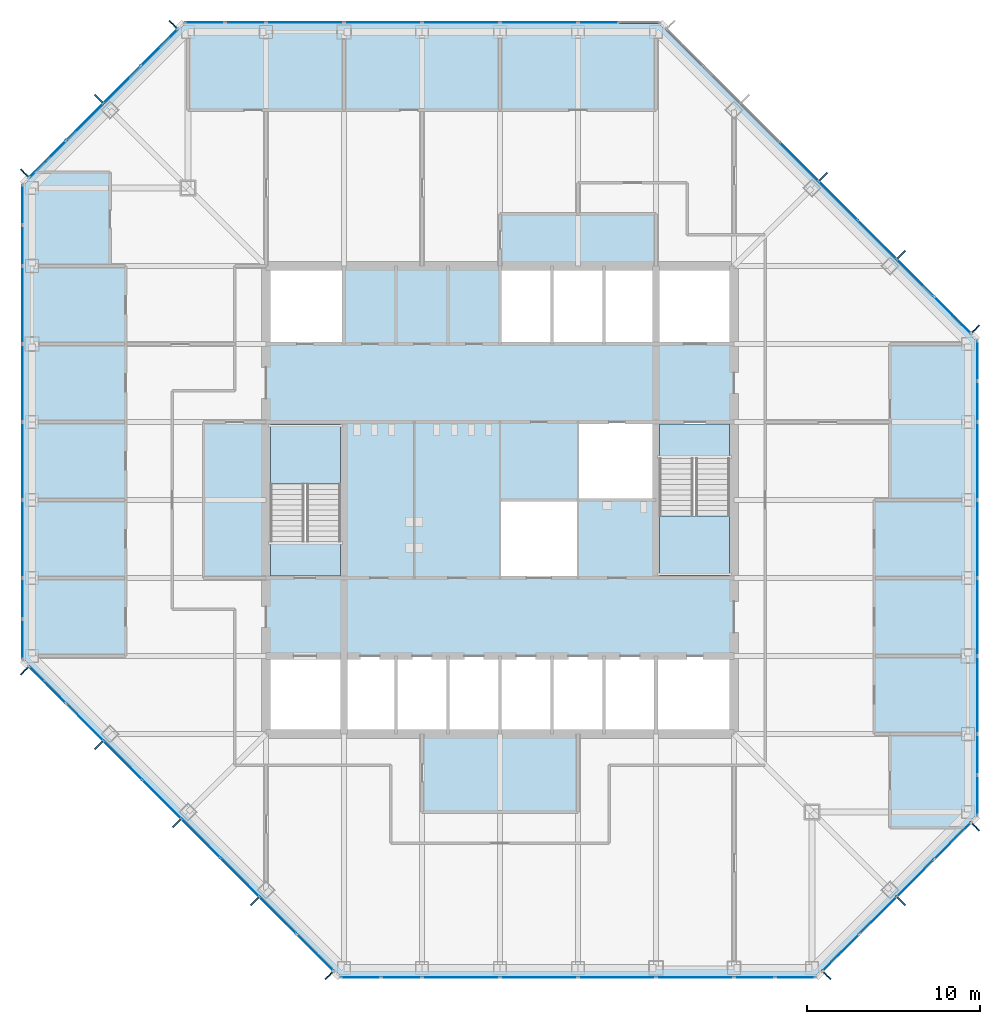
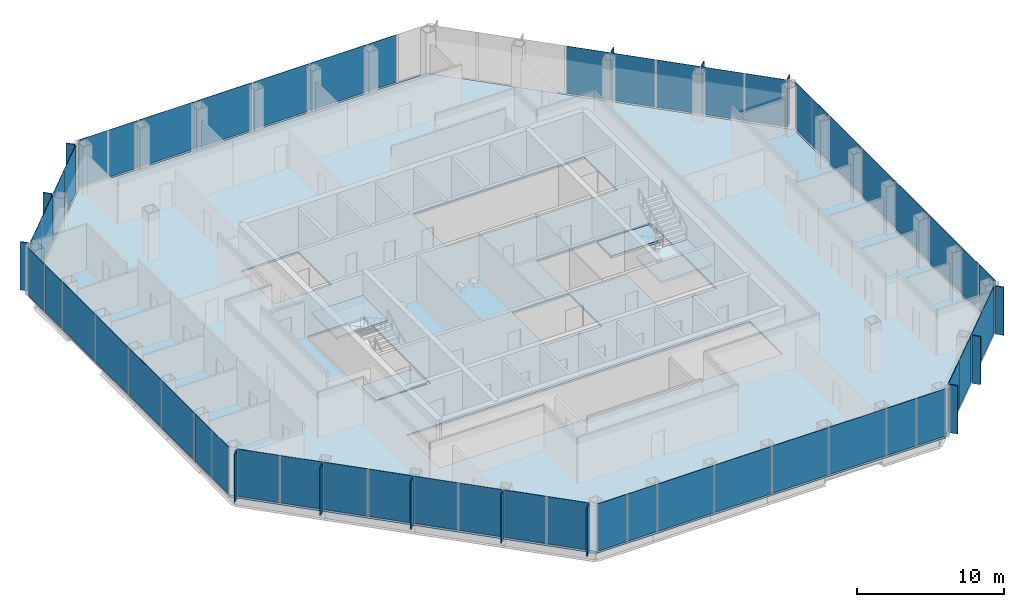
# One storey, part 7 of 13: 66 plates, 5 slabs, 10 elements without a shape of their own.
"""IFC4 building model written with IfcOpenShell, lengths in metres."""

from ifc_helpers import new_model, si_unit, direction, frame, origin, origin_2d, place, context, subcontext, project, spatial, polyline, rectangle, outline, extrude, material, layer, layer_set, type_object, element, aggregate, save


model = new_model("IFC4")

# Units and contexts
model_context = context("Model", 3, precision=1e-05, world=origin(), true_north=direction((0.0, 1.0)))
body_context = subcontext(model_context, "Body", "Model", "MODEL_VIEW")
ifc_project = project(units=[si_unit("LENGTHUNIT", "METRE"), si_unit("AREAUNIT", "SQUARE_METRE"), si_unit("VOLUMEUNIT", "CUBIC_METRE"), si_unit("PLANEANGLEUNIT", "RADIAN"), si_unit("MASSUNIT", "GRAM", prefix="KILO")], contexts=[model_context])

# Site, building, storey
site_placement = place(None, origin())
site = spatial("IfcSite", under=ifc_project, at=site_placement, CompositionType="ELEMENT")
building_placement = place(site_placement, origin())
building = spatial("IfcBuilding", under=site, at=building_placement, Name="Corais Broadcast Tower", CompositionType="ELEMENT")
storey_placement = place(building_placement, frame((0.0, 0.0, 191.60009765625)))
storey = spatial("IfcBuildingStorey", under=building, at=storey_placement, Name="L44", CompositionType="ELEMENT", Elevation=191.60009765625)

# Slab
ifc_material_1 = material(Name="Concrete C30/37", Category="concrete")
ifc_layer_1 = layer(ifc_material_1, 0.159912109375)
ifc_layer_set_1 = layer_set([ifc_layer_1], Name="Concrete C30/37")
slab_type_1 = type_object("IfcSlabType", Name="Composite floor slab 160", PredefinedType="FLOOR", material=ifc_layer_set_1)
slab_1_placement = place(storey_placement, frame((0.0, 0.0, -0.16015625)))
element("IfcSlab", 1, at=slab_1_placement, inside=storey, type_object=slab_type_1, Name="S160 floor slab L44", PredefinedType="FLOOR", context=body_context, shape_type="SweptSolid", body=[
    extrude(outline(polyline([(17.80126953125, -0.47998046875), (-0.47998046875, 17.80126953125), (-0.47998046875, 45.19873046875), (8.80126953125, 54.47998046875), (36.19873046875, 54.47998046875), (54.47998046875, 36.19873046875), (54.47998046875, 8.80126953125), (45.19873046875, -0.47998046875), (17.80126953125, -0.47998046875)]), holes=[polyline([(13.5, 18.0), (40.5, 18.0), (40.5, 13.5), (13.5, 13.5), (13.5, 18.0)]), polyline([(18.0, 22.5), (13.5, 22.5), (13.5, 31.5), (18.0, 31.5), (18.0, 22.5)]), polyline([(18.0, 36.0), (13.5, 36.0), (13.5, 40.5), (18.0, 40.5), (18.0, 36.0)]), polyline([(31.5, 22.5), (27.0, 22.5), (27.0, 27.0), (31.4951171875, 27.0), (31.4951171875, 27.0048828125), (31.5, 27.0048828125), (31.5, 31.5), (40.5, 31.5), (40.5, 22.5), (36.0, 22.5), (36.0, 27.0), (31.5048828125, 27.0), (31.5048828125, 26.9951171875), (31.5, 26.9951171875), (31.5, 22.5)]), polyline([(27.0, 40.5), (40.5, 40.5), (40.5, 36.0), (27.0, 36.0), (27.0, 40.5)])]), origin(), (0.0, 0.0, 1.0), 0.16015625),
])

# Curtain wall, plates
ifc_material_2 = material(Name="Aluminium and glass", Category="aluminium")
curtain_wall_type = type_object("IfcCurtainWallType", Name="Unitised fritted curtain wall CW2", PredefinedType="NOTDEFINED", material=ifc_material_2)
curtain_wall_1_placement = place(storey_placement, origin())
curtain_wall_1 = element("IfcCurtainWall", 2, at=curtain_wall_1_placement, inside=storey, type_object=curtain_wall_type, Name="CW2 curtain wall L44 1", PredefinedType="NOTDEFINED")
ifc_material_3 = material(Name="Ceramic-fritted laminated glass", Category="glass")
ifc_layer_2 = layer(ifc_material_3, 0.028076171875)
ifc_layer_set_2 = layer_set([ifc_layer_2], Name="Ceramic-fritted laminated glass")
plate_type_1 = type_object("IfcPlateType", Name="Fritted glass panel CW2", PredefinedType="CURTAIN_PANEL", material=ifc_layer_set_2)
plate_1_placement = place(storey_placement, frame((16.330322265625, 0.891845703125, 0.06494140625), z_axis=(0.0, 0.0, 1.0), x_axis=(-0.707106781187, 0.707106781187, 0.0)))
plate_1 = element("IfcPlate", 3, at=plate_1_placement, type_object=plate_type_1, Name="CW2 panel 1", PredefinedType="CURTAIN_PANEL", context=body_context, shape_type="SweptSolid", body=[
    extrude(rectangle(XDim=2.9482421875, YDim=0.028076171875, at=origin_2d()), origin(), (0.0, 0.0, 1.0), 3.93505859375),
])
plate_2_placement = place(storey_placement, frame((11.986083984375, 5.236083984375, 0.06494140625), z_axis=(0.0, 0.0, 1.0), x_axis=(-0.707106781187, 0.707106781187, 0.0)))
plate_2 = element("IfcPlate", 4, at=plate_2_placement, type_object=plate_type_1, Name="CW2 panel 3", PredefinedType="CURTAIN_PANEL", context=body_context, shape_type="SweptSolid", body=[
    extrude(rectangle(XDim=3.116943359375, YDim=0.028076171875, at=origin_2d()), origin(), (0.0, 0.0, 1.0), 3.93505859375),
])
plate_3_placement = place(storey_placement, frame((7.486083984375, 9.736083984375, 0.06494140625), z_axis=(0.0, 0.0, 1.0), x_axis=(-0.707106781187, 0.707106781187, 0.0)))
plate_3 = element("IfcPlate", 5, at=plate_3_placement, type_object=plate_type_1, Name="CW2 panel 5", PredefinedType="CURTAIN_PANEL", context=body_context, shape_type="SweptSolid", body=[
    extrude(rectangle(XDim=3.116943359375, YDim=0.028076171875, at=origin_2d()), origin(), (0.0, 0.0, 1.0), 3.93505859375),
])
plate_4_placement = place(storey_placement, frame((3.0341796875, 14.18798828125, 0.06494140625), z_axis=(0.0, 0.0, 1.0), x_axis=(-0.707106781187, 0.707106781187, 0.0)))
plate_4 = element("IfcPlate", 6, at=plate_4_placement, type_object=plate_type_1, Name="CW2 panel 7", PredefinedType="CURTAIN_PANEL", context=body_context, shape_type="SweptSolid", body=[
    extrude(rectangle(XDim=2.98095703125, YDim=0.028076171875, at=origin_2d()), origin(), (0.0, 0.0, 1.0), 3.93505859375),
])

curtain_wall_2_placement = place(storey_placement, origin())
curtain_wall_2 = element("IfcCurtainWall", 7, at=curtain_wall_2_placement, inside=storey, type_object=curtain_wall_type, Name="CW2 curtain wall L44 2", PredefinedType="NOTDEFINED")
plate_5_placement = place(storey_placement, frame((-0.550048828125, 18.970458984375, 0.06494140625), z_axis=(0.0, 0.0, 1.0), x_axis=(0.0, 1.0, 0.0)))
plate_5 = element("IfcPlate", 8, at=plate_5_placement, type_object=plate_type_1, Name="CW2 panel 1", PredefinedType="CURTAIN_PANEL", context=body_context, shape_type="SweptSolid", body=[
    extrude(rectangle(XDim=2.266357421875, YDim=0.028076171875, at=origin_2d()), origin(), (0.0, 0.0, 1.0), 3.93505859375),
])
plate_6_placement = place(storey_placement, frame((-0.550048828125, 24.75, 0.06494140625), z_axis=(0.0, 0.0, 1.0), x_axis=(0.0, 1.0, 0.0)))
plate_6 = element("IfcPlate", 9, at=plate_6_placement, type_object=plate_type_1, Name="CW2 panel 3", PredefinedType="CURTAIN_PANEL", context=body_context, shape_type="SweptSolid", body=[
    extrude(rectangle(XDim=4.43505859375, YDim=0.028076171875, at=origin_2d()), origin(), (0.0, 0.0, 1.0), 3.93505859375),
])
plate_7_placement = place(storey_placement, frame((-0.550048828125, 33.75, 0.06494140625), z_axis=(0.0, 0.0, 1.0), x_axis=(0.0, 1.0, 0.0)))
plate_7 = element("IfcPlate", 10, at=plate_7_placement, type_object=plate_type_1, Name="CW2 panel 5", PredefinedType="CURTAIN_PANEL", context=body_context, shape_type="SweptSolid", body=[
    extrude(rectangle(XDim=4.43505859375, YDim=0.028076171875, at=origin_2d()), origin(), (0.0, 0.0, 1.0), 3.93505859375),
])
plate_8_placement = place(storey_placement, frame((-0.550048828125, 41.681884765625, 0.06494140625), z_axis=(0.0, 0.0, 1.0), x_axis=(0.0, 1.0, 0.0)))
plate_8 = element("IfcPlate", 11, at=plate_8_placement, type_object=plate_type_1, Name="CW2 panel 7", PredefinedType="CURTAIN_PANEL", context=body_context, shape_type="SweptSolid", body=[
    extrude(rectangle(XDim=2.298828125, YDim=0.028076171875, at=origin_2d()), origin(), (0.0, 0.0, 1.0), 3.93505859375),
])

curtain_wall_3_placement = place(storey_placement, origin())
curtain_wall_3 = element("IfcCurtainWall", 12, at=curtain_wall_3_placement, inside=storey, type_object=curtain_wall_type, Name="CW2 curtain wall L44 3", PredefinedType="NOTDEFINED")
plate_9_placement = place(storey_placement, frame((0.891845703125, 46.669677734375, 0.06494140625), z_axis=(0.0, 0.0, 1.0), x_axis=(0.707106781187, 0.707106781187, 0.0)))
plate_9 = element("IfcPlate", 13, at=plate_9_placement, type_object=plate_type_1, Name="CW2 panel 1", PredefinedType="CURTAIN_PANEL", context=body_context, shape_type="SweptSolid", body=[
    extrude(rectangle(XDim=2.9482421875, YDim=0.028076171875, at=origin_2d()), origin(), (0.0, 0.0, 1.0), 3.93505859375),
])
plate_10_placement = place(storey_placement, frame((5.18798828125, 50.9658203125, 0.06494140625), z_axis=(0.0, 0.0, 1.0), x_axis=(0.707106781187, 0.707106781187, 0.0)))
plate_10 = element("IfcPlate", 14, at=plate_10_placement, type_object=plate_type_1, Name="CW2 panel 3", PredefinedType="CURTAIN_PANEL", context=body_context, shape_type="SweptSolid", body=[
    extrude(rectangle(XDim=2.98095703125, YDim=0.028076171875, at=origin_2d()), origin(), (0.0, 0.0, 1.0), 3.93505859375),
])

curtain_wall_4_placement = place(storey_placement, origin())
curtain_wall_4 = element("IfcCurtainWall", 15, at=curtain_wall_4_placement, inside=storey, type_object=curtain_wall_type, Name="CW2 curtain wall L44 4", PredefinedType="NOTDEFINED")
plate_11_placement = place(storey_placement, frame((9.970458984375, 54.550048828125, 0.06494140625), z_axis=(0.0, 0.0, 1.0), x_axis=(1.0, 0.0, 0.0)))
plate_11 = element("IfcPlate", 16, at=plate_11_placement, type_object=plate_type_1, Name="CW2 panel 1", PredefinedType="CURTAIN_PANEL", context=body_context, shape_type="SweptSolid", body=[
    extrude(rectangle(XDim=2.266357421875, YDim=0.028076171875, at=origin_2d()), origin(), (0.0, 0.0, 1.0), 3.93505859375),
])
plate_12_placement = place(storey_placement, frame((15.75, 54.550048828125, 0.06494140625), z_axis=(0.0, 0.0, 1.0), x_axis=(1.0, 0.0, 0.0)))
plate_12 = element("IfcPlate", 17, at=plate_12_placement, type_object=plate_type_1, Name="CW2 panel 3", PredefinedType="CURTAIN_PANEL", context=body_context, shape_type="SweptSolid", body=[
    extrude(rectangle(XDim=4.43505859375, YDim=0.028076171875, at=origin_2d()), origin(), (0.0, 0.0, 1.0), 3.93505859375),
])
plate_13_placement = place(storey_placement, frame((24.75, 54.550048828125, 0.06494140625), z_axis=(0.0, 0.0, 1.0), x_axis=(1.0, 0.0, 0.0)))
plate_13 = element("IfcPlate", 18, at=plate_13_placement, type_object=plate_type_1, Name="CW2 panel 5", PredefinedType="CURTAIN_PANEL", context=body_context, shape_type="SweptSolid", body=[
    extrude(rectangle(XDim=4.43505859375, YDim=0.028076171875, at=origin_2d()), origin(), (0.0, 0.0, 1.0), 3.93505859375),
])
plate_14_placement = place(storey_placement, frame((32.681884765625, 54.550048828125, 0.06494140625), z_axis=(0.0, 0.0, 1.0), x_axis=(1.0, 0.0, 0.0)))
plate_14 = element("IfcPlate", 19, at=plate_14_placement, type_object=plate_type_1, Name="CW2 panel 7", PredefinedType="CURTAIN_PANEL", context=body_context, shape_type="SweptSolid", body=[
    extrude(rectangle(XDim=2.298828125, YDim=0.028076171875, at=origin_2d()), origin(), (0.0, 0.0, 1.0), 3.93505859375),
])

curtain_wall_5_placement = place(storey_placement, origin())
curtain_wall_5 = element("IfcCurtainWall", 20, at=curtain_wall_5_placement, inside=storey, type_object=curtain_wall_type, Name="CW2 curtain wall L44 5", PredefinedType="NOTDEFINED")
plate_15_placement = place(storey_placement, frame((46.513916015625, 44.263916015625, 0.06494140625), z_axis=(0.0, 0.0, 1.0), x_axis=(0.707106781187, -0.707106781187, 0.0)))
plate_15 = element("IfcPlate", 21, at=plate_15_placement, type_object=plate_type_1, Name="CW2 panel 5", PredefinedType="CURTAIN_PANEL", context=body_context, shape_type="SweptSolid", body=[
    extrude(rectangle(XDim=3.116943359375, YDim=0.028076171875, at=origin_2d()), origin(), (0.0, 0.0, 1.0), 3.93505859375),
])
plate_16_placement = place(storey_placement, frame((50.9658203125, 39.81201171875, 0.06494140625), z_axis=(0.0, 0.0, 1.0), x_axis=(0.707106781187, -0.707106781187, 0.0)))
plate_16 = element("IfcPlate", 22, at=plate_16_placement, type_object=plate_type_1, Name="CW2 panel 7", PredefinedType="CURTAIN_PANEL", context=body_context, shape_type="SweptSolid", body=[
    extrude(rectangle(XDim=2.98095703125, YDim=0.028076171875, at=origin_2d()), origin(), (0.0, 0.0, 1.0), 3.93505859375),
])

curtain_wall_6_placement = place(storey_placement, origin())
curtain_wall_6 = element("IfcCurtainWall", 23, at=curtain_wall_6_placement, inside=storey, type_object=curtain_wall_type, Name="CW2 curtain wall L44 6", PredefinedType="NOTDEFINED")
plate_17_placement = place(storey_placement, frame((54.550048828125, 35.029541015625, 0.06494140625), z_axis=(0.0, 0.0, 1.0), x_axis=(0.0, -1.0, 0.0)))
plate_17 = element("IfcPlate", 24, at=plate_17_placement, type_object=plate_type_1, Name="CW2 panel 1", PredefinedType="CURTAIN_PANEL", context=body_context, shape_type="SweptSolid", body=[
    extrude(rectangle(XDim=2.266357421875, YDim=0.028076171875, at=origin_2d()), origin(), (0.0, 0.0, 1.0), 3.93505859375),
])
plate_18_placement = place(storey_placement, frame((54.550048828125, 29.25, 0.06494140625), z_axis=(0.0, 0.0, 1.0), x_axis=(0.0, -1.0, 0.0)))
plate_18 = element("IfcPlate", 25, at=plate_18_placement, type_object=plate_type_1, Name="CW2 panel 3", PredefinedType="CURTAIN_PANEL", context=body_context, shape_type="SweptSolid", body=[
    extrude(rectangle(XDim=4.43505859375, YDim=0.028076171875, at=origin_2d()), origin(), (0.0, 0.0, 1.0), 3.93505859375),
])
plate_19_placement = place(storey_placement, frame((54.550048828125, 20.25, 0.06494140625), z_axis=(0.0, 0.0, 1.0), x_axis=(0.0, -1.0, 0.0)))
plate_19 = element("IfcPlate", 26, at=plate_19_placement, type_object=plate_type_1, Name="CW2 panel 5", PredefinedType="CURTAIN_PANEL", context=body_context, shape_type="SweptSolid", body=[
    extrude(rectangle(XDim=4.43505859375, YDim=0.028076171875, at=origin_2d()), origin(), (0.0, 0.0, 1.0), 3.93505859375),
])
plate_20_placement = place(storey_placement, frame((54.550048828125, 12.318115234375, 0.06494140625), z_axis=(0.0, 0.0, 1.0), x_axis=(0.0, -1.0, 0.0)))
plate_20 = element("IfcPlate", 27, at=plate_20_placement, type_object=plate_type_1, Name="CW2 panel 7", PredefinedType="CURTAIN_PANEL", context=body_context, shape_type="SweptSolid", body=[
    extrude(rectangle(XDim=2.298828125, YDim=0.028076171875, at=origin_2d()), origin(), (0.0, 0.0, 1.0), 3.93505859375),
])

curtain_wall_7_placement = place(storey_placement, origin())
curtain_wall_7 = element("IfcCurtainWall", 28, at=curtain_wall_7_placement, inside=storey, type_object=curtain_wall_type, Name="CW2 curtain wall L44 7", PredefinedType="NOTDEFINED")
plate_21_placement = place(storey_placement, frame((53.108154296875, 7.330322265625, 0.06494140625), z_axis=(0.0, 0.0, 1.0), x_axis=(-0.707106781187, -0.707106781187, 0.0)))
plate_21 = element("IfcPlate", 29, at=plate_21_placement, type_object=plate_type_1, Name="CW2 panel 1", PredefinedType="CURTAIN_PANEL", context=body_context, shape_type="SweptSolid", body=[
    extrude(rectangle(XDim=2.9482421875, YDim=0.028076171875, at=origin_2d()), origin(), (0.0, 0.0, 1.0), 3.93505859375),
])
plate_22_placement = place(storey_placement, frame((48.81201171875, 3.0341796875, 0.06494140625), z_axis=(0.0, 0.0, 1.0), x_axis=(-0.707106781187, -0.707106781187, 0.0)))
plate_22 = element("IfcPlate", 30, at=plate_22_placement, type_object=plate_type_1, Name="CW2 panel 3", PredefinedType="CURTAIN_PANEL", context=body_context, shape_type="SweptSolid", body=[
    extrude(rectangle(XDim=2.98095703125, YDim=0.028076171875, at=origin_2d()), origin(), (0.0, 0.0, 1.0), 3.93505859375),
])

curtain_wall_8_placement = place(storey_placement, origin())
curtain_wall_8 = element("IfcCurtainWall", 31, at=curtain_wall_8_placement, inside=storey, type_object=curtain_wall_type, Name="CW2 curtain wall L44 8", PredefinedType="NOTDEFINED")
plate_23_placement = place(storey_placement, frame((44.029541015625, -0.550048828125, 0.06494140625), z_axis=(0.0, 0.0, 1.0), x_axis=(-1.0, 0.0, 0.0)))
plate_23 = element("IfcPlate", 32, at=plate_23_placement, type_object=plate_type_1, Name="CW2 panel 1", PredefinedType="CURTAIN_PANEL", context=body_context, shape_type="SweptSolid", body=[
    extrude(rectangle(XDim=2.266357421875, YDim=0.028076171875, at=origin_2d()), origin(), (0.0, 0.0, 1.0), 3.93505859375),
])
plate_24_placement = place(storey_placement, frame((38.25, -0.550048828125, 0.06494140625), z_axis=(0.0, 0.0, 1.0), x_axis=(-1.0, 0.0, 0.0)))
plate_24 = element("IfcPlate", 33, at=plate_24_placement, type_object=plate_type_1, Name="CW2 panel 3", PredefinedType="CURTAIN_PANEL", context=body_context, shape_type="SweptSolid", body=[
    extrude(rectangle(XDim=4.43505859375, YDim=0.028076171875, at=origin_2d()), origin(), (0.0, 0.0, 1.0), 3.93505859375),
])
plate_25_placement = place(storey_placement, frame((29.25, -0.550048828125, 0.06494140625), z_axis=(0.0, 0.0, 1.0), x_axis=(-1.0, 0.0, 0.0)))
plate_25 = element("IfcPlate", 34, at=plate_25_placement, type_object=plate_type_1, Name="CW2 panel 5", PredefinedType="CURTAIN_PANEL", context=body_context, shape_type="SweptSolid", body=[
    extrude(rectangle(XDim=4.43505859375, YDim=0.028076171875, at=origin_2d()), origin(), (0.0, 0.0, 1.0), 3.93505859375),
])
plate_26_placement = place(storey_placement, frame((21.318115234375, -0.550048828125, 0.06494140625), z_axis=(0.0, 0.0, 1.0), x_axis=(-1.0, 0.0, 0.0)))
plate_26 = element("IfcPlate", 35, at=plate_26_placement, type_object=plate_type_1, Name="CW2 panel 7", PredefinedType="CURTAIN_PANEL", context=body_context, shape_type="SweptSolid", body=[
    extrude(rectangle(XDim=2.298828125, YDim=0.028076171875, at=origin_2d()), origin(), (0.0, 0.0, 1.0), 3.93505859375),
])

# Plate
ifc_material_4 = material(Name="Clear laminated glass", Category="glass")
ifc_layer_3 = layer(ifc_material_4, 0.031982421875)
ifc_layer_set_3 = layer_set([ifc_layer_3], Name="Clear laminated glass")
plate_type_2 = type_object("IfcPlateType", Name="Operable glass panel CW2", PredefinedType="CURTAIN_PANEL", material=ifc_layer_set_3)
plate_27_placement = place(storey_placement, frame((14.18798828125, 3.0341796875, 0.06494140625), z_axis=(0.0, 0.0, 1.0), x_axis=(-0.707106781187, 0.707106781187, 0.0)))
plate_27 = element("IfcPlate", 36, at=plate_27_placement, type_object=plate_type_2, Name="CW2 operable panel 2", PredefinedType="CURTAIN_PANEL", context=body_context, shape_type="SweptSolid", body=[
    extrude(rectangle(XDim=2.98095703125, YDim=0.031982421875, at=origin_2d()), origin(), (0.0, 0.0, 1.0), 3.93505859375),
])

plate_28_placement = place(storey_placement, frame((9.736083984375, 7.486083984375, 0.06494140625), z_axis=(0.0, 0.0, 1.0), x_axis=(-0.707106781187, 0.707106781187, 0.0)))
plate_28 = element("IfcPlate", 37, at=plate_28_placement, type_object=plate_type_2, Name="CW2 operable panel 4", PredefinedType="CURTAIN_PANEL", context=body_context, shape_type="SweptSolid", body=[
    extrude(rectangle(XDim=3.116943359375, YDim=0.031982421875, at=origin_2d()), origin(), (0.0, 0.0, 1.0), 3.93505859375),
])

plate_29_placement = place(storey_placement, frame((5.236083984375, 11.986083984375, 0.06494140625), z_axis=(0.0, 0.0, 1.0), x_axis=(-0.707106781187, 0.707106781187, 0.0)))
plate_29 = element("IfcPlate", 38, at=plate_29_placement, type_object=plate_type_2, Name="CW2 operable panel 6", PredefinedType="CURTAIN_PANEL", context=body_context, shape_type="SweptSolid", body=[
    extrude(rectangle(XDim=3.116943359375, YDim=0.031982421875, at=origin_2d()), origin(), (0.0, 0.0, 1.0), 3.93505859375),
])

plate_30_placement = place(storey_placement, frame((0.89208984375, 16.330322265625, 0.06494140625), z_axis=(0.0, 0.0, 1.0), x_axis=(-0.707106781187, 0.707106781187, 0.0)))
plate_30 = element("IfcPlate", 39, at=plate_30_placement, type_object=plate_type_2, Name="CW2 operable panel 8", PredefinedType="CURTAIN_PANEL", context=body_context, shape_type="SweptSolid", body=[
    extrude(rectangle(XDim=2.948486328125, YDim=0.031982421875, at=origin_2d()), origin(), (0.0, 0.0, 1.0), 3.93505859375),
])

aggregate(curtain_wall_1, [plate_1, plate_27, plate_2, plate_28, plate_3, plate_29, plate_4, plate_30])

plate_31_placement = place(storey_placement, frame((-0.550048828125, 21.318115234375, 0.06494140625), z_axis=(0.0, 0.0, 1.0), x_axis=(0.0, 1.0, 0.0)))
plate_31 = element("IfcPlate", 40, at=plate_31_placement, type_object=plate_type_2, Name="CW2 operable panel 2", PredefinedType="CURTAIN_PANEL", context=body_context, shape_type="SweptSolid", body=[
    extrude(rectangle(XDim=2.298828125, YDim=0.031982421875, at=origin_2d()), origin(), (0.0, 0.0, 1.0), 3.93505859375),
])

plate_32_placement = place(storey_placement, frame((-0.550048828125, 29.25, 0.06494140625), z_axis=(0.0, 0.0, 1.0), x_axis=(0.0, 1.0, 0.0)))
plate_32 = element("IfcPlate", 41, at=plate_32_placement, type_object=plate_type_2, Name="CW2 operable panel 4", PredefinedType="CURTAIN_PANEL", context=body_context, shape_type="SweptSolid", body=[
    extrude(rectangle(XDim=4.43505859375, YDim=0.031982421875, at=origin_2d()), origin(), (0.0, 0.0, 1.0), 3.93505859375),
])

plate_33_placement = place(storey_placement, frame((-0.550048828125, 38.25, 0.06494140625), z_axis=(0.0, 0.0, 1.0), x_axis=(0.0, 1.0, 0.0)))
plate_33 = element("IfcPlate", 42, at=plate_33_placement, type_object=plate_type_2, Name="CW2 operable panel 6", PredefinedType="CURTAIN_PANEL", context=body_context, shape_type="SweptSolid", body=[
    extrude(rectangle(XDim=4.43505859375, YDim=0.031982421875, at=origin_2d()), origin(), (0.0, 0.0, 1.0), 3.93505859375),
])

plate_34_placement = place(storey_placement, frame((-0.550048828125, 44.029541015625, 0.06494140625), z_axis=(0.0, 0.0, 1.0), x_axis=(0.0, 1.0, 0.0)))
plate_34 = element("IfcPlate", 43, at=plate_34_placement, type_object=plate_type_2, Name="CW2 operable panel 8", PredefinedType="CURTAIN_PANEL", context=body_context, shape_type="SweptSolid", body=[
    extrude(rectangle(XDim=2.266357421875, YDim=0.031982421875, at=origin_2d()), origin(), (0.0, 0.0, 1.0), 3.93505859375),
])

aggregate(curtain_wall_2, [plate_5, plate_31, plate_6, plate_32, plate_7, plate_33, plate_8, plate_34])

plate_35_placement = place(storey_placement, frame((3.0341796875, 48.81201171875, 0.06494140625), z_axis=(0.0, 0.0, 1.0), x_axis=(0.707106781187, 0.707106781187, 0.0)))
plate_35 = element("IfcPlate", 44, at=plate_35_placement, type_object=plate_type_2, Name="CW2 operable panel 2", PredefinedType="CURTAIN_PANEL", context=body_context, shape_type="SweptSolid", body=[
    extrude(rectangle(XDim=2.98095703125, YDim=0.031982421875, at=origin_2d()), origin(), (0.0, 0.0, 1.0), 3.93505859375),
])

plate_36_placement = place(storey_placement, frame((7.330322265625, 53.10791015625, 0.06494140625), z_axis=(0.0, 0.0, 1.0), x_axis=(0.707106781187, 0.707106781187, 0.0)))
plate_36 = element("IfcPlate", 45, at=plate_36_placement, type_object=plate_type_2, Name="CW2 operable panel 4", PredefinedType="CURTAIN_PANEL", context=body_context, shape_type="SweptSolid", body=[
    extrude(rectangle(XDim=2.948486328125, YDim=0.031982421875, at=origin_2d()), origin(), (0.0, 0.0, 1.0), 3.93505859375),
])

aggregate(curtain_wall_3, [plate_9, plate_35, plate_10, plate_36])

plate_37_placement = place(storey_placement, frame((12.318115234375, 54.550048828125, 0.06494140625), z_axis=(0.0, 0.0, 1.0), x_axis=(1.0, 0.0, 0.0)))
plate_37 = element("IfcPlate", 46, at=plate_37_placement, type_object=plate_type_2, Name="CW2 operable panel 2", PredefinedType="CURTAIN_PANEL", context=body_context, shape_type="SweptSolid", body=[
    extrude(rectangle(XDim=2.298828125, YDim=0.031982421875, at=origin_2d()), origin(), (0.0, 0.0, 1.0), 3.93505859375),
])

plate_38_placement = place(storey_placement, frame((20.25, 54.550048828125, 0.06494140625), z_axis=(0.0, 0.0, 1.0), x_axis=(1.0, 0.0, 0.0)))
plate_38 = element("IfcPlate", 47, at=plate_38_placement, type_object=plate_type_2, Name="CW2 operable panel 4", PredefinedType="CURTAIN_PANEL", context=body_context, shape_type="SweptSolid", body=[
    extrude(rectangle(XDim=4.43505859375, YDim=0.031982421875, at=origin_2d()), origin(), (0.0, 0.0, 1.0), 3.93505859375),
])

plate_39_placement = place(storey_placement, frame((29.25, 54.550048828125, 0.06494140625), z_axis=(0.0, 0.0, 1.0), x_axis=(1.0, 0.0, 0.0)))
plate_39 = element("IfcPlate", 48, at=plate_39_placement, type_object=plate_type_2, Name="CW2 operable panel 6", PredefinedType="CURTAIN_PANEL", context=body_context, shape_type="SweptSolid", body=[
    extrude(rectangle(XDim=4.43505859375, YDim=0.031982421875, at=origin_2d()), origin(), (0.0, 0.0, 1.0), 3.93505859375),
])

aggregate(curtain_wall_4, [plate_11, plate_37, plate_12, plate_38, plate_13, plate_39, plate_14])

plate_40_placement = place(storey_placement, frame((44.263916015625, 46.513916015625, 0.06494140625), z_axis=(0.0, 0.0, 1.0), x_axis=(0.707106781187, -0.707106781187, 0.0)))
plate_40 = element("IfcPlate", 49, at=plate_40_placement, type_object=plate_type_2, Name="CW2 operable panel 4", PredefinedType="CURTAIN_PANEL", context=body_context, shape_type="SweptSolid", body=[
    extrude(rectangle(XDim=3.116943359375, YDim=0.031982421875, at=origin_2d()), origin(), (0.0, 0.0, 1.0), 3.93505859375),
])

plate_41_placement = place(storey_placement, frame((48.763916015625, 42.013916015625, 0.06494140625), z_axis=(0.0, 0.0, 1.0), x_axis=(0.707106781187, -0.707106781187, 0.0)))
plate_41 = element("IfcPlate", 50, at=plate_41_placement, type_object=plate_type_2, Name="CW2 operable panel 6", PredefinedType="CURTAIN_PANEL", context=body_context, shape_type="SweptSolid", body=[
    extrude(rectangle(XDim=3.116943359375, YDim=0.031982421875, at=origin_2d()), origin(), (0.0, 0.0, 1.0), 3.93505859375),
])

plate_42_placement = place(storey_placement, frame((53.10791015625, 37.669677734375, 0.06494140625), z_axis=(0.0, 0.0, 1.0), x_axis=(0.707106781187, -0.707106781187, 0.0)))
plate_42 = element("IfcPlate", 51, at=plate_42_placement, type_object=plate_type_2, Name="CW2 operable panel 8", PredefinedType="CURTAIN_PANEL", context=body_context, shape_type="SweptSolid", body=[
    extrude(rectangle(XDim=2.948486328125, YDim=0.031982421875, at=origin_2d()), origin(), (0.0, 0.0, 1.0), 3.93505859375),
])

aggregate(curtain_wall_5, [plate_40, plate_15, plate_41, plate_16, plate_42])

plate_43_placement = place(storey_placement, frame((54.550048828125, 32.681884765625, 0.06494140625), z_axis=(0.0, 0.0, 1.0), x_axis=(0.0, -1.0, 0.0)))
plate_43 = element("IfcPlate", 52, at=plate_43_placement, type_object=plate_type_2, Name="CW2 operable panel 2", PredefinedType="CURTAIN_PANEL", context=body_context, shape_type="SweptSolid", body=[
    extrude(rectangle(XDim=2.298828125, YDim=0.031982421875, at=origin_2d()), origin(), (0.0, 0.0, 1.0), 3.93505859375),
])

plate_44_placement = place(storey_placement, frame((54.550048828125, 24.75, 0.06494140625), z_axis=(0.0, 0.0, 1.0), x_axis=(0.0, -1.0, 0.0)))
plate_44 = element("IfcPlate", 53, at=plate_44_placement, type_object=plate_type_2, Name="CW2 operable panel 4", PredefinedType="CURTAIN_PANEL", context=body_context, shape_type="SweptSolid", body=[
    extrude(rectangle(XDim=4.43505859375, YDim=0.031982421875, at=origin_2d()), origin(), (0.0, 0.0, 1.0), 3.93505859375),
])

plate_45_placement = place(storey_placement, frame((54.550048828125, 15.75, 0.06494140625), z_axis=(0.0, 0.0, 1.0), x_axis=(0.0, -1.0, 0.0)))
plate_45 = element("IfcPlate", 54, at=plate_45_placement, type_object=plate_type_2, Name="CW2 operable panel 6", PredefinedType="CURTAIN_PANEL", context=body_context, shape_type="SweptSolid", body=[
    extrude(rectangle(XDim=4.43505859375, YDim=0.031982421875, at=origin_2d()), origin(), (0.0, 0.0, 1.0), 3.93505859375),
])

plate_46_placement = place(storey_placement, frame((54.550048828125, 9.970458984375, 0.06494140625), z_axis=(0.0, 0.0, 1.0), x_axis=(0.0, -1.0, 0.0)))
plate_46 = element("IfcPlate", 55, at=plate_46_placement, type_object=plate_type_2, Name="CW2 operable panel 8", PredefinedType="CURTAIN_PANEL", context=body_context, shape_type="SweptSolid", body=[
    extrude(rectangle(XDim=2.266357421875, YDim=0.031982421875, at=origin_2d()), origin(), (0.0, 0.0, 1.0), 3.93505859375),
])

aggregate(curtain_wall_6, [plate_17, plate_43, plate_18, plate_44, plate_19, plate_45, plate_20, plate_46])

plate_47_placement = place(storey_placement, frame((50.9658203125, 5.18798828125, 0.06494140625), z_axis=(0.0, 0.0, 1.0), x_axis=(-0.707106781187, -0.707106781187, 0.0)))
plate_47 = element("IfcPlate", 56, at=plate_47_placement, type_object=plate_type_2, Name="CW2 operable panel 2", PredefinedType="CURTAIN_PANEL", context=body_context, shape_type="SweptSolid", body=[
    extrude(rectangle(XDim=2.98095703125, YDim=0.031982421875, at=origin_2d()), origin(), (0.0, 0.0, 1.0), 3.93505859375),
])

plate_48_placement = place(storey_placement, frame((46.669677734375, 0.89208984375, 0.06494140625), z_axis=(0.0, 0.0, 1.0), x_axis=(-0.707106781187, -0.707106781187, 0.0)))
plate_48 = element("IfcPlate", 57, at=plate_48_placement, type_object=plate_type_2, Name="CW2 operable panel 4", PredefinedType="CURTAIN_PANEL", context=body_context, shape_type="SweptSolid", body=[
    extrude(rectangle(XDim=2.948486328125, YDim=0.031982421875, at=origin_2d()), origin(), (0.0, 0.0, 1.0), 3.93505859375),
])

aggregate(curtain_wall_7, [plate_21, plate_47, plate_22, plate_48])

plate_49_placement = place(storey_placement, frame((41.681884765625, -0.550048828125, 0.06494140625), z_axis=(0.0, 0.0, 1.0), x_axis=(-1.0, 0.0, 0.0)))
plate_49 = element("IfcPlate", 58, at=plate_49_placement, type_object=plate_type_2, Name="CW2 operable panel 2", PredefinedType="CURTAIN_PANEL", context=body_context, shape_type="SweptSolid", body=[
    extrude(rectangle(XDim=2.298828125, YDim=0.031982421875, at=origin_2d()), origin(), (0.0, 0.0, 1.0), 3.93505859375),
])

plate_50_placement = place(storey_placement, frame((33.75, -0.550048828125, 0.06494140625), z_axis=(0.0, 0.0, 1.0), x_axis=(-1.0, 0.0, 0.0)))
plate_50 = element("IfcPlate", 59, at=plate_50_placement, type_object=plate_type_2, Name="CW2 operable panel 4", PredefinedType="CURTAIN_PANEL", context=body_context, shape_type="SweptSolid", body=[
    extrude(rectangle(XDim=4.43505859375, YDim=0.031982421875, at=origin_2d()), origin(), (0.0, 0.0, 1.0), 3.93505859375),
])

plate_51_placement = place(storey_placement, frame((24.75, -0.550048828125, 0.06494140625), z_axis=(0.0, 0.0, 1.0), x_axis=(-1.0, 0.0, 0.0)))
plate_51 = element("IfcPlate", 60, at=plate_51_placement, type_object=plate_type_2, Name="CW2 operable panel 6", PredefinedType="CURTAIN_PANEL", context=body_context, shape_type="SweptSolid", body=[
    extrude(rectangle(XDim=4.43505859375, YDim=0.031982421875, at=origin_2d()), origin(), (0.0, 0.0, 1.0), 3.93505859375),
])

plate_52_placement = place(storey_placement, frame((18.970458984375, -0.550048828125, 0.06494140625), z_axis=(0.0, 0.0, 1.0), x_axis=(-1.0, 0.0, 0.0)))
plate_52 = element("IfcPlate", 61, at=plate_52_placement, type_object=plate_type_2, Name="CW2 operable panel 8", PredefinedType="CURTAIN_PANEL", context=body_context, shape_type="SweptSolid", body=[
    extrude(rectangle(XDim=2.266357421875, YDim=0.031982421875, at=origin_2d()), origin(), (0.0, 0.0, 1.0), 3.93505859375),
])

aggregate(curtain_wall_8, [plate_23, plate_49, plate_24, plate_50, plate_25, plate_51, plate_26, plate_52])

# Stair, slabs
ifc_material_5 = material(Name="Concrete C30/37", Category="concrete")
stair_type = type_object("IfcStairType", Name="Half-turn stair 4000", PredefinedType="HALF_TURN_STAIR", material=ifc_material_5)
stair_1_placement = place(storey_placement, origin())
stair_1 = element("IfcStair", 62, at=stair_1_placement, inside=storey, type_object=stair_type, Name="Stair A L44", PredefinedType="HALF_TURN_STAIR")
ifc_material_6 = material(Name="Concrete C30/37", Category="concrete")
ifc_layer_4 = layer(ifc_material_6, 0.199951171875)
ifc_layer_set_4 = layer_set([ifc_layer_4], Name="Concrete C30/37")
slab_type_2 = type_object("IfcSlabType", Name="Stair landing 200", PredefinedType="LANDING", material=ifc_layer_set_4)
slab_2_placement = place(storey_placement, frame((0.0, 0.0, -0.2001953125)))
slab_2 = element("IfcSlab", 63, at=slab_2_placement, type_object=slab_type_2, Name="STA landing 1", PredefinedType="LANDING", context=body_context, shape_type="SweptSolid", body=[
    extrude(outline(polyline([(13.75, 22.625), (17.800048828125, 22.625), (17.800048828125, 24.60009765625), (13.75, 24.60009765625), (13.75, 22.625)])), origin(), (0.0, 0.0, 1.0), 0.2001953125),
])
slab_3_placement = place(storey_placement, frame((0.0, 0.0, 1.7998046875)))
slab_3 = element("IfcSlab", 64, at=slab_3_placement, type_object=slab_type_2, Name="STA landing 2", PredefinedType="LANDING", context=body_context, shape_type="SweptSolid", body=[
    extrude(outline(polyline([(13.75, 27.922119140625), (17.800048828125, 27.922119140625), (17.800048828125, 31.375), (13.75, 31.375), (13.75, 27.922119140625)])), origin(), (0.0, 0.0, 1.0), 0.2001953125),
])
aggregate(stair_1, [slab_2, slab_3])

stair_2_placement = place(storey_placement, origin())
stair_2 = element("IfcStair", 65, at=stair_2_placement, inside=storey, type_object=stair_type, Name="Stair B L44", PredefinedType="HALF_TURN_STAIR")
slab_4_placement = place(storey_placement, frame((0.0, 0.0, -0.2001953125)))
slab_4 = element("IfcSlab", 66, at=slab_4_placement, type_object=slab_type_2, Name="STB landing 1", PredefinedType="LANDING", context=body_context, shape_type="SweptSolid", body=[
    extrude(outline(polyline([(36.199951171875, 29.39990234375), (40.25, 29.39990234375), (40.25, 31.375), (36.199951171875, 31.375), (36.199951171875, 29.39990234375)])), origin(), (0.0, 0.0, 1.0), 0.2001953125),
])
slab_5_placement = place(storey_placement, frame((0.0, 0.0, 1.7998046875)))
slab_5 = element("IfcSlab", 67, at=slab_5_placement, type_object=slab_type_2, Name="STB landing 2", PredefinedType="LANDING", context=body_context, shape_type="SweptSolid", body=[
    extrude(outline(polyline([(36.199951171875, 22.625), (40.25, 22.625), (40.25, 26.077880859375), (36.199951171875, 26.077880859375), (36.199951171875, 22.625)])), origin(), (0.0, 0.0, 1.0), 0.2001953125),
])
aggregate(stair_2, [slab_4, slab_5])

# Plates
ifc_material_7 = material(Name="Granite stone cladding", Category="masonry")
ifc_layer_5 = layer(ifc_material_7, 0.080078125)
ifc_layer_set_5 = layer_set([ifc_layer_5], Name="Granite stone cladding")
plate_type_3 = type_object("IfcPlateType", Name="Stone screen fin 80x600", PredefinedType="USERDEFINED", material=ifc_layer_set_5)
for number, where, z_axis, x_axis, name in (
    (68, (17.1220703125, -0.447021484375, 0.0), (0.0, 0.0, 1.0), (-0.707106781187, 0.707106781187, 0.0), "SF1 stone screen fin L44"),
    (69, (12.83740234375, 3.83740234375, 0.0), (0.0, 0.0, 1.0), (-0.707106781187, 0.707106781187, 0.0), "SF1 stone screen fin L44"),
    (70, (8.33740234375, 8.33740234375, 0.0), (0.0, 0.0, 1.0), (-0.707106781187, 0.707106781187, 0.0), "SF1 stone screen fin L44"),
    (71, (3.83740234375, 12.83740234375, 0.0), (0.0, 0.0, 1.0), (-0.707106781187, 0.707106781187, 0.0), "SF1 stone screen fin L44"),
    (72, (-0.447021484375, 17.1220703125, 0.0), (0.0, 0.0, 1.0), (-0.707106781187, 0.707106781187, 0.0), "SF1 stone screen fin L44"),
    (73, (-0.447021484375, 45.8779296875, 0.0), (0.0, 0.0, 1.0), (0.707106781187, 0.707106781187, 0.0), "SF1 stone screen fin L44"),
    (74, (3.83740234375, 50.16259765625, 0.0), (0.0, 0.0, 1.0), (0.707106781187, 0.707106781187, 0.0), "SF1 stone screen fin L44"),
    (75, (8.1220703125, 54.447021484375, 0.0), (0.0, 0.0, 1.0), (0.707106781187, 0.707106781187, 0.0), "SF1 stone screen fin L44"),
    (76, (45.66259765625, 45.66259765625, 0.0), (0.0, 0.0, 1.0), (0.707106781187, -0.707106781187, 0.0), "SF1 stone screen fin L44"),
    (77, (50.16259765625, 41.16259765625, 0.0), (0.0, 0.0, 1.0), (0.707106781187, -0.707106781187, 0.0), "SF1 stone screen fin L44"),
    (78, (54.447021484375, 36.8779296875, 0.0), (0.0, 0.0, 1.0), (0.707106781187, -0.707106781187, 0.0), "SF1 stone screen fin L44"),
    (79, (54.447021484375, 8.1220703125, 0.0), (0.0, 0.0, 1.0), (-0.707106781187, -0.707106781187, 0.0), "SF1 stone screen fin L44"),
    (80, (50.16259765625, 3.83740234375, 0.0), (0.0, 0.0, 1.0), (-0.707106781187, -0.707106781187, 0.0), "SF1 stone screen fin L44"),
    (81, (45.8779296875, -0.447021484375, 0.0), (0.0, 0.0, 1.0), (-0.707106781187, -0.707106781187, 0.0), "SF1 stone screen fin L44"),
):
    element("IfcPlate", number, at=place(storey_placement, frame(where, z_axis=z_axis, x_axis=x_axis)), inside=storey, type_object=plate_type_3, Name=name, ObjectType="STONE SCREEN FIN", PredefinedType="USERDEFINED", context=body_context, shape_type="SweptSolid", body=[
        extrude(rectangle(XDim=0.080078125, YDim=0.60009765625, at=origin_2d()), origin(), (0.0, 0.0, 1.0), 4.0),
    ])

save(model, "model.ifc")
